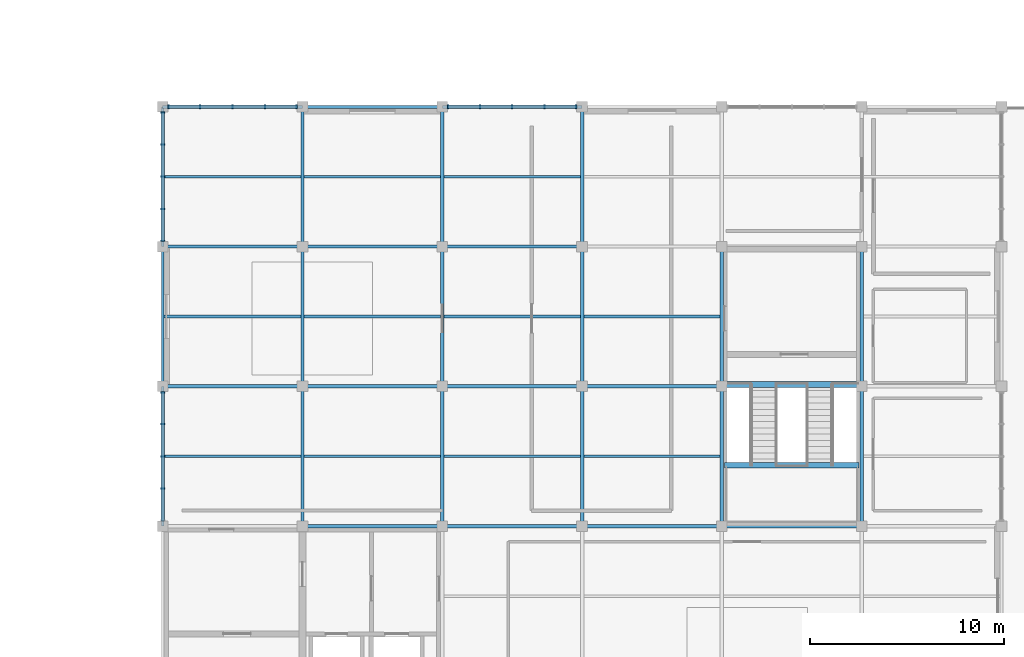
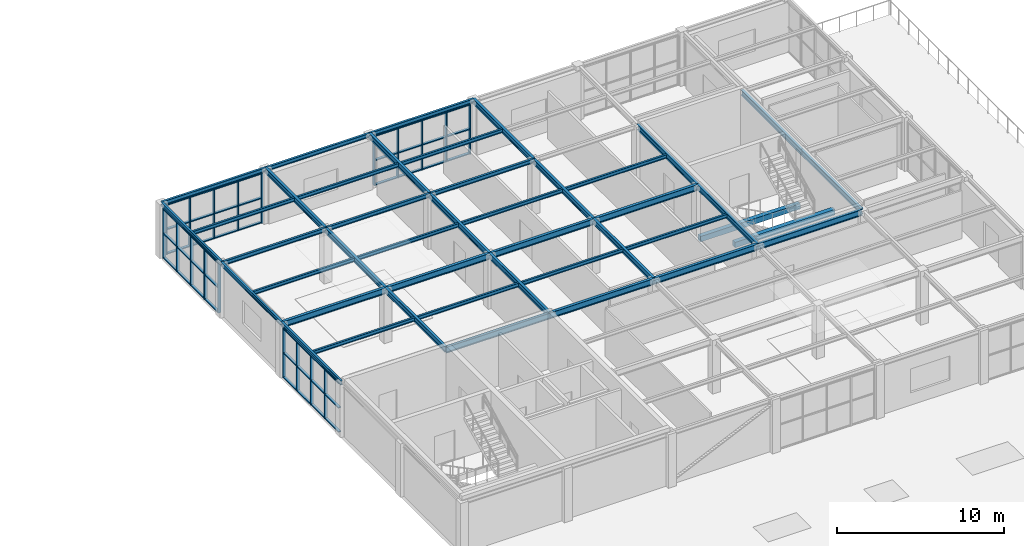
# One storey, part 36 of 64: 43 beams, 31 members, 4 elements without a shape of their own.
"""IFC4 building model written with IfcOpenShell, lengths in metres."""

import ifcopenshell
import ifcopenshell.guid

model = None  # the IFC model being written
_history = None  # IfcOwnerHistory: only IFC2X3 demands one
_inside = {}  # id of a spatial element -> (the spatial element, [elements in it])
_under = {}  # id of a project, library or spatial element -> (it, [spatial elements below it])
_declared = {}  # id of a project -> (the project, [libraries it declares])
_typed = {}  # id of a type object -> (the type object, [elements of that type])
_made_of = {}  # id of a material, layer set ... -> (it, [elements and type objects made of it])


def new_model(schema):
    """Start an empty IFC model of exactly this schema.

    Asked for "IFC4X3", IfcOpenShell would pick the latest addendum, in which some entities
    have other attributes; the version numbers below select the first issue.
    IFC2X3 requires an IfcOwnerHistory on every rooted entity: one is made here for all.
    """
    global model, _history
    if schema == "IFC4X3":
        model = ifcopenshell.file(schema_version=(4, 3, 0, 0))
    else:
        model = ifcopenshell.file(schema=schema)
    _inside.clear()
    _under.clear()
    _declared.clear()
    _typed.clear()
    _made_of.clear()
    _history = None
    if model.schema == "IFC2X3":
        org = make("IfcOrganization", Name="unknown")
        user = make(
            "IfcPersonAndOrganization",
            ThePerson=make("IfcPerson", FamilyName="unknown"),
            TheOrganization=org,
        )
        app = make(
            "IfcApplication",
            ApplicationDeveloper=org,
            Version="unknown",
            ApplicationFullName="unknown",
            ApplicationIdentifier="unknown",
        )
        _history = make(
            "IfcOwnerHistory",
            OwningUser=user,
            OwningApplication=app,
            ChangeAction="ADDED",
            CreationDate=0,
        )
    return model


def make(cls, **values):
    """One entity of the class cls with the attributes given. An attribute that is None is left unset."""
    return model.create_entity(
        cls, **{name: value for name, value in values.items() if value is not None}
    )


def rooted(cls, **values):
    """An entity with a GlobalId (a new one), such as an element, a storey or a relation."""
    return make(cls, GlobalId=ifcopenshell.guid.new(), OwnerHistory=_history, **values)


def si_unit(unit_type, name, prefix=None):
    """IfcSIUnit, for example si_unit("LENGTHUNIT", "METRE", prefix="MILLI")."""
    return make("IfcSIUnit", UnitType=unit_type, Prefix=prefix, Name=name)


def assignment(units):
    """IfcUnitAssignment: the units of a project."""
    return None if units is None else make("IfcUnitAssignment", Units=units)


def point(xyz):
    """IfcCartesianPoint."""
    return None if xyz is None else make("IfcCartesianPoint", Coordinates=xyz)


def direction(xyz):
    """IfcDirection."""
    return None if xyz is None else make("IfcDirection", DirectionRatios=xyz)


def frame(location, z_axis=None, x_axis=None):
    """IfcAxis2Placement3D, a coordinate frame: its origin and axes. An axis left out is left unset."""
    return make(
        "IfcAxis2Placement3D",
        Location=point(location),
        Axis=direction(z_axis),
        RefDirection=direction(x_axis),
    )


def frame_2d(location, x_axis=None):
    """IfcAxis2Placement2D, a coordinate frame in the plane: its origin and x axis."""
    return make(
        "IfcAxis2Placement2D", Location=point(location), RefDirection=direction(x_axis)
    )


def origin():
    """The frame at (0, 0, 0) with its axes left unset."""
    return frame((0.0, 0.0, 0.0))


def origin_2d():
    """The frame at (0, 0) in the plane with its x axis left unset."""
    return frame_2d((0.0, 0.0))


def place(relative_to, where):
    """IfcLocalPlacement: puts the frame where relative to a parent placement (None: the world)."""
    return make(
        "IfcLocalPlacement", PlacementRelTo=relative_to, RelativePlacement=where
    )


def context(
    kind, dimensions, precision=None, world=None, true_north=None, identifier=None
):
    """IfcGeometricRepresentationContext, for example the 3D "Model" context."""
    return make(
        "IfcGeometricRepresentationContext",
        ContextIdentifier=identifier,
        ContextType=kind,
        CoordinateSpaceDimension=dimensions,
        Precision=precision,
        WorldCoordinateSystem=world,
        TrueNorth=true_north,
    )


def subcontext(parent, identifier, kind, view, scale=None):
    """IfcGeometricRepresentationSubContext, for example "Body" below "Model"."""
    return make(
        "IfcGeometricRepresentationSubContext",
        ContextIdentifier=identifier,
        ContextType=kind,
        ParentContext=parent,
        TargetScale=scale,
        TargetView=view,
    )


def project(units=None, contexts=None):
    """IfcProject with its units and contexts."""
    return rooted(
        "IfcProject",
        Name="project",
        RepresentationContexts=contexts,
        UnitsInContext=assignment(units),
    )


def spatial(cls, under=None, at=None, **own):
    """A site, building, storey or space (cls), placed at a placement, below another one or the project."""
    s = rooted(cls, ObjectPlacement=at, **own)
    if under is not None:
        _under.setdefault(under.id(), (under, []))[1].append(s)
    return s


def profile(cls, at=None, kind="AREA", **sizes):
    """A parametric profile (cls). Its sizes go by their IFC names, for example OverallWidth=200.0."""
    return make(cls, ProfileType=kind, Position=at, **sizes)


def rectangle(**sizes):
    """IfcRectangleProfileDef."""
    return profile("IfcRectangleProfileDef", **sizes)


def i_section(**sizes):
    """IfcIShapeProfileDef."""
    return profile("IfcIShapeProfileDef", **sizes)


def extrude(swept, where, along, depth):
    """IfcExtrudedAreaSolid: the profile swept, set in the frame where, extruded along a direction by depth."""
    return make(
        "IfcExtrudedAreaSolid",
        SweptArea=swept,
        Position=where,
        ExtrudedDirection=direction(along),
        Depth=depth,
    )


def shape(context_of_items, identifier, shape_type, items):
    """IfcShapeRepresentation: the items that make up one representation, for example the "Body"."""
    return make(
        "IfcShapeRepresentation",
        ContextOfItems=context_of_items,
        RepresentationIdentifier=identifier,
        RepresentationType=shape_type,
        Items=items,
    )


def material(Name=None, Category=None):
    """IfcMaterial."""
    return make("IfcMaterial", Name=Name, Category=Category)


def material_profile(
    of_material, cross_section, Name=None, Category=None, Priority=None
):
    """IfcMaterialProfile: a cross section and its material."""
    return make(
        "IfcMaterialProfile",
        Name=Name,
        Material=of_material,
        Profile=cross_section,
        Priority=Priority,
        Category=Category,
    )


def profile_set(profiles, Name=None, composite=None):
    """IfcMaterialProfileSet."""
    return make(
        "IfcMaterialProfileSet",
        Name=Name,
        MaterialProfiles=profiles,
        CompositeProfile=composite,
    )


def made_of(thing, what):
    """Note that an element or type object is made of a material, layer set ...; save() writes the relation."""
    if what is not None:
        _made_of.setdefault(what.id(), (what, []))[1].append(thing)
    return thing


def type_object(cls, material=None, **own):
    """A type object (cls), such as IfcWallType, which elements share."""
    return made_of(rooted(cls, **own), material)


def element(
    cls,
    number,
    at=None,
    inside=None,
    cuts=None,
    type_object=None,
    material=None,
    context=None,
    identifier="Body",
    shape_type=None,
    held_by="IfcProductDefinitionShape",
    body=None,
    shapes=None,
    **own,
):
    """One element of the class cls, such as IfcWall. Its Tag is "e" and its number.

    at: its placement. inside: the storey or other place that contains it. cuts: it is an
    opening in that element (IfcRelVoidsElement). A single representation is given by context,
    identifier, shape_type and body (its items); several are given by shapes. held_by: the class
    of the entity that holds the representations. save() writes the other relations.
    """
    e = rooted(cls, Tag="e%d" % number, ObjectPlacement=at, **own)
    if body is not None:
        shapes = [shape(context, identifier, shape_type, body)]
    if shapes is not None:
        e.Representation = make(held_by, Representations=shapes)
    if inside is not None:
        _inside.setdefault(inside.id(), (inside, []))[1].append(e)
    if cuts is not None:
        rooted(
            "IfcRelVoidsElement", RelatingBuildingElement=cuts, RelatedOpeningElement=e
        )
    if type_object is not None:
        _typed.setdefault(type_object.id(), (type_object, []))[1].append(e)
    return made_of(e, material)


def aggregate(whole, parts):
    """IfcRelAggregates: a whole, such as a stair, and the parts it consists of."""
    return rooted("IfcRelAggregates", RelatingObject=whole, RelatedObjects=parts)


def save(model, path):
    """Write the relations noted so far, then the file.

    IfcRelAggregates (storeys below a building ...), IfcRelContainedInSpatialStructure (elements
    in a storey), IfcRelDefinesByType, IfcRelAssociatesMaterial and IfcRelDeclares: one each for
    every whole, place, type object, material and project.
    """
    for whole, parts in _under.values():
        aggregate(whole, parts)
    for where, things in _inside.values():
        rooted(
            "IfcRelContainedInSpatialStructure",
            RelatedElements=things,
            RelatingStructure=where,
        )
    for kind, things in _typed.values():
        rooted("IfcRelDefinesByType", RelatedObjects=things, RelatingType=kind)
    for what, things in _made_of.values():
        rooted("IfcRelAssociatesMaterial", RelatedObjects=things, RelatingMaterial=what)
    for by, libraries in _declared.values():
        rooted("IfcRelDeclares", RelatingContext=by, RelatedDefinitions=libraries)
    model.write(path)


model = new_model("IFC4")

# Units and contexts
model_context = context("Model", 3, precision=1e-05, world=origin(), true_north=direction((0.0, 1.0)))
body_context = subcontext(model_context, "Body", "Model", "MODEL_VIEW")
ifc_project = project(units=[si_unit("LENGTHUNIT", "METRE"), si_unit("AREAUNIT", "SQUARE_METRE"), si_unit("VOLUMEUNIT", "CUBIC_METRE"), si_unit("PLANEANGLEUNIT", "RADIAN"), si_unit("MASSUNIT", "GRAM", prefix="KILO")], contexts=[model_context])

# Site, building, storey
site_placement = place(None, origin())
site = spatial("IfcSite", under=ifc_project, at=site_placement, CompositionType="ELEMENT")
building_placement = place(site_placement, origin())
building = spatial("IfcBuilding", under=site, at=building_placement, Name="Leyfeld Transit Interchange", CompositionType="ELEMENT")
storey_placement = place(building_placement, frame((0.0, 0.0, 9.60009765625)))
storey = spatial("IfcBuildingStorey", under=building, at=storey_placement, Name="L02", CompositionType="ELEMENT", Elevation=9.60009765625)

# Beams
ifc_material_1 = material(Name="Concrete C35/45", Category="concrete")
ifc_material_profile_1 = material_profile(ifc_material_1, rectangle(XDim=0.300048828125, YDim=0.39990234375, at=origin_2d()), Name="RC 400x300")
ifc_profile_set_1 = profile_set([ifc_material_profile_1], Name="Concrete C35/45")
beam_type_1 = type_object("IfcBeamType", Name="BM-RC-400x300", PredefinedType="LINTEL", material=ifc_profile_set_1)
for number, where, z_axis, x_axis, name in (
    (1, (165.735107421875, 79.300048828125, -0.2001953125), (1.0, 0.0, 0.0), (0.0, 1.0, 0.0), "Core K5 Floor Landing Corbel L02"),
    (2, (165.735107421875, 75.139892578125, 1.89990234375), (1.0, 0.0, 0.0), (0.0, 1.0, 0.0), "Stair ST-05 L02 Half-Landing Corbel"),
):
    element("IfcBeam", number, at=place(storey_placement, frame(where, z_axis=z_axis, x_axis=x_axis)), inside=storey, type_object=beam_type_1, Name=name, PredefinedType="LINTEL", context=body_context, shape_type="SweptSolid", body=[
        extrude(rectangle(XDim=0.300048828125, YDim=0.39990234375, at=origin_2d()), origin(), (0.0, 0.0, 1.0), 6.929931640625),
    ])
ifc_material_2 = material(Name="Steel S355J2", Category="steel")
ifc_material_profile_2 = material_profile(ifc_material_2, i_section(OverallWidth=0.135009765625, OverallDepth=0.27001953125, WebThickness=0.006591796875, FlangeThickness=0.01025390625, FilletRadius=0.014892578125, at=origin_2d()), Name="IPE 270")
ifc_profile_set_2 = profile_set([ifc_material_profile_2], Name="Steel S355J2")
beam_type_2 = type_object("IfcBeamType", Name="BM-STL-IPE270", PredefinedType="BEAM", material=ifc_profile_set_2)
beam_1_placement = place(storey_placement, frame((136.8720703125, 75.60009765625, 3.784912109375), z_axis=(1.0, 0.0, 0.0), x_axis=(0.0, 1.0, 0.0)))
element("IfcBeam", 3, at=beam_1_placement, inside=storey, type_object=beam_type_2, Name="Beam BM-L02-1369_0756-1439_0756", PredefinedType="BEAM", context=body_context, shape_type="SweptSolid", body=[
    extrude(i_section(OverallWidth=0.135009765625, OverallDepth=0.27001953125, WebThickness=0.006591796875, FlangeThickness=0.01025390625, FilletRadius=0.014892578125, at=origin_2d()), origin(), (0.0, 0.0, 1.0), 7.041015625),
])
beam_2_placement = place(storey_placement, frame((144.0869140625, 75.60009765625, 3.784912109375), z_axis=(1.0, 0.0, 0.0), x_axis=(0.0, 1.0, 0.0)))
element("IfcBeam", 4, at=beam_2_placement, inside=storey, type_object=beam_type_2, Name="Beam BM-L02-1441_0756-1511_0756", PredefinedType="BEAM", context=body_context, shape_type="SweptSolid", body=[
    extrude(i_section(OverallWidth=0.135009765625, OverallDepth=0.27001953125, WebThickness=0.006591796875, FlangeThickness=0.01025390625, FilletRadius=0.014892578125, at=origin_2d()), origin(), (0.0, 0.0, 1.0), 7.026123046875),
])
for number, where, z_axis, x_axis, name in (
    (5, (151.287109375, 75.60009765625, 3.784912109375), (1.0, 0.0, 0.0), (0.0, 1.0, 0.0), "Beam BM-L02-1513_0756-1583_0756"),
    (6, (158.487060546875, 75.60009765625, 3.784912109375), (1.0, 0.0, 0.0), (0.0, 1.0, 0.0), "Beam BM-L02-1585_0756-1655_0756"),
):
    element("IfcBeam", number, at=place(storey_placement, frame(where, z_axis=z_axis, x_axis=x_axis)), inside=storey, type_object=beam_type_2, Name=name, PredefinedType="BEAM", context=body_context, shape_type="SweptSolid", body=[
        extrude(i_section(OverallWidth=0.135009765625, OverallDepth=0.27001953125, WebThickness=0.006591796875, FlangeThickness=0.01025390625, FilletRadius=0.014892578125, at=origin_2d()), origin(), (0.0, 0.0, 1.0), 7.02587890625),
    ])
beam_3_placement = place(storey_placement, frame((136.8720703125, 82.800048828125, 3.784912109375), z_axis=(1.0, 0.0, 0.0), x_axis=(0.0, 1.0, 0.0)))
element("IfcBeam", 7, at=beam_3_placement, inside=storey, type_object=beam_type_2, Name="Beam BM-L02-1369_0828-1439_0828", PredefinedType="BEAM", context=body_context, shape_type="SweptSolid", body=[
    extrude(i_section(OverallWidth=0.135009765625, OverallDepth=0.27001953125, WebThickness=0.006591796875, FlangeThickness=0.01025390625, FilletRadius=0.014892578125, at=origin_2d()), origin(), (0.0, 0.0, 1.0), 7.041015625),
])
beam_4_placement = place(storey_placement, frame((144.0869140625, 82.800048828125, 3.784912109375), z_axis=(1.0, 0.0, 0.0), x_axis=(0.0, 1.0, 0.0)))
element("IfcBeam", 8, at=beam_4_placement, inside=storey, type_object=beam_type_2, Name="Beam BM-L02-1441_0828-1511_0828", PredefinedType="BEAM", context=body_context, shape_type="SweptSolid", body=[
    extrude(i_section(OverallWidth=0.135009765625, OverallDepth=0.27001953125, WebThickness=0.006591796875, FlangeThickness=0.01025390625, FilletRadius=0.014892578125, at=origin_2d()), origin(), (0.0, 0.0, 1.0), 7.026123046875),
])
for number, where, z_axis, x_axis, name in (
    (9, (151.287109375, 82.800048828125, 3.784912109375), (1.0, 0.0, 0.0), (0.0, 1.0, 0.0), "Beam BM-L02-1513_0828-1583_0828"),
    (10, (158.487060546875, 82.800048828125, 3.784912109375), (1.0, 0.0, 0.0), (0.0, 1.0, 0.0), "Beam BM-L02-1585_0828-1655_0828"),
):
    element("IfcBeam", number, at=place(storey_placement, frame(where, z_axis=z_axis, x_axis=x_axis)), inside=storey, type_object=beam_type_2, Name=name, PredefinedType="BEAM", context=body_context, shape_type="SweptSolid", body=[
        extrude(i_section(OverallWidth=0.135009765625, OverallDepth=0.27001953125, WebThickness=0.006591796875, FlangeThickness=0.01025390625, FilletRadius=0.014892578125, at=origin_2d()), origin(), (0.0, 0.0, 1.0), 7.02587890625),
    ])
beam_5_placement = place(storey_placement, frame((136.8720703125, 90.0, 3.81494140625), z_axis=(1.0, 0.0, 0.0), x_axis=(0.0, 1.0, 0.0)))
element("IfcBeam", 11, at=beam_5_placement, inside=storey, type_object=beam_type_2, Name="Beam BM-L02-1369_0900-1439_0900", PredefinedType="BEAM", context=body_context, shape_type="SweptSolid", body=[
    extrude(i_section(OverallWidth=0.135009765625, OverallDepth=0.27001953125, WebThickness=0.006591796875, FlangeThickness=0.01025390625, FilletRadius=0.014892578125, at=origin_2d()), origin(), (0.0, 0.0, 1.0), 7.041015625),
])
beam_6_placement = place(storey_placement, frame((144.0869140625, 90.0, 3.81494140625), z_axis=(1.0, 0.0, 0.0), x_axis=(0.0, 1.0, 0.0)))
element("IfcBeam", 12, at=beam_6_placement, inside=storey, type_object=beam_type_2, Name="Beam BM-L02-1441_0900-1511_0900", PredefinedType="BEAM", context=body_context, shape_type="SweptSolid", body=[
    extrude(i_section(OverallWidth=0.135009765625, OverallDepth=0.27001953125, WebThickness=0.006591796875, FlangeThickness=0.01025390625, FilletRadius=0.014892578125, at=origin_2d()), origin(), (0.0, 0.0, 1.0), 7.026123046875),
])
beam_7_placement = place(storey_placement, frame((151.287109375, 90.0, 3.81494140625), z_axis=(1.0, 0.0, 0.0), x_axis=(0.0, 1.0, 0.0)))
element("IfcBeam", 13, at=beam_7_placement, inside=storey, type_object=beam_type_2, Name="Beam BM-L02-1513_0900-1583_0900", PredefinedType="BEAM", context=body_context, shape_type="SweptSolid", body=[
    extrude(i_section(OverallWidth=0.135009765625, OverallDepth=0.27001953125, WebThickness=0.006591796875, FlangeThickness=0.01025390625, FilletRadius=0.014892578125, at=origin_2d()), origin(), (0.0, 0.0, 1.0), 7.02587890625),
])
ifc_material_profile_3 = material_profile(ifc_material_2, i_section(OverallWidth=0.14990234375, OverallDepth=0.300048828125, WebThickness=0.007080078125, FlangeThickness=0.0107421875, FilletRadius=0.014892578125, at=origin_2d()), Name="IPE 300")
ifc_profile_set_3 = profile_set([ifc_material_profile_3], Name="Steel S355J2")
beam_type_3 = type_object("IfcBeamType", Name="BM-STL-IPE300", PredefinedType="SPANDREL", material=ifc_profile_set_3)
for number, where, z_axis, x_axis, name in (
    (14, (136.800048828125, 72.0, 3.77001953125), (0.0, 1.0, 0.0), (-1.0, 0.0, 0.0), "Beam BM-L02-1368_0720-1368_0792"),
    (15, (136.800048828125, 79.199951171875, 3.77001953125), (0.0, 1.0, 0.0), (-1.0, 0.0, 0.0), "Beam BM-L02-1368_0792-1368_0864"),
    (16, (136.800048828125, 86.39990234375, 3.77001953125), (1.0, 0.0, 0.0), (0.0, 1.0, 0.0), "Beam BM-L02-1368_0864-1440_0864"),
    (17, (144.0, 86.39990234375, 3.77001953125), (1.0, 0.0, 0.0), (0.0, 1.0, 0.0), "Beam BM-L02-1440_0864-1512_0864"),
    (18, (151.199951171875, 86.39990234375, 3.77001953125), (1.0, 0.0, 0.0), (0.0, 1.0, 0.0), "Beam BM-L02-1512_0864-1584_0864"),
):
    element("IfcBeam", number, at=place(storey_placement, frame(where, z_axis=z_axis, x_axis=x_axis)), inside=storey, type_object=beam_type_3, Name=name, PredefinedType="SPANDREL", context=body_context, shape_type="SweptSolid", body=[
        extrude(i_section(OverallWidth=0.14990234375, OverallDepth=0.300048828125, WebThickness=0.007080078125, FlangeThickness=0.0107421875, FilletRadius=0.014892578125, at=origin_2d()), origin(), (0.0, 0.0, 1.0), 7.199951171875),
    ])
beam_8_placement = place(storey_placement, frame((136.800048828125, 86.39990234375, 3.7998046875), z_axis=(0.0, 1.0, 0.0), x_axis=(-1.0, 0.0, 0.0)))
element("IfcBeam", 19, at=beam_8_placement, inside=storey, type_object=beam_type_3, Name="Beam BM-L02-1368_0864-1368_0936", PredefinedType="SPANDREL", context=body_context, shape_type="SweptSolid", body=[
    extrude(i_section(OverallWidth=0.14990234375, OverallDepth=0.300048828125, WebThickness=0.007080078125, FlangeThickness=0.0107421875, FilletRadius=0.014892578125, at=origin_2d()), origin(), (0.0, 0.0, 1.0), 7.2001953125),
])
for number, where, z_axis, x_axis, name in (
    (20, (136.800048828125, 93.60009765625, 3.7998046875), (1.0, 0.0, 0.0), (0.0, 1.0, 0.0), "Beam BM-L02-1368_0936-1440_0936"),
    (21, (144.0, 93.60009765625, 3.7998046875), (1.0, 0.0, 0.0), (0.0, 1.0, 0.0), "Beam BM-L02-1440_0936-1512_0936"),
    (22, (151.199951171875, 93.60009765625, 3.7998046875), (1.0, 0.0, 0.0), (0.0, 1.0, 0.0), "Beam BM-L02-1512_0936-1584_0936"),
):
    element("IfcBeam", number, at=place(storey_placement, frame(where, z_axis=z_axis, x_axis=x_axis)), inside=storey, type_object=beam_type_3, Name=name, PredefinedType="SPANDREL", context=body_context, shape_type="SweptSolid", body=[
        extrude(i_section(OverallWidth=0.14990234375, OverallDepth=0.300048828125, WebThickness=0.007080078125, FlangeThickness=0.0107421875, FilletRadius=0.014892578125, at=origin_2d()), origin(), (0.0, 0.0, 1.0), 7.199951171875),
    ])
ifc_material_profile_4 = material_profile(ifc_material_2, i_section(OverallWidth=0.179931640625, OverallDepth=0.39990234375, WebThickness=0.008544921875, FlangeThickness=0.013427734375, FilletRadius=0.02099609375, at=origin_2d()), Name="IPE 400")
ifc_profile_set_4 = profile_set([ifc_material_profile_4], Name="Steel S355J2")
beam_type_4 = type_object("IfcBeamType", Name="BM-STL-IPE400", PredefinedType="BEAM", material=ifc_profile_set_4)
for number, where, z_axis, x_axis, name in (
    (23, (144.0, 72.0, 3.719970703125), (0.0, 1.0, 0.0), (-1.0, 0.0, 0.0), "Beam BM-L02-1440_0720-1440_0792"),
    (24, (144.0, 79.199951171875, 3.719970703125), (0.0, 1.0, 0.0), (-1.0, 0.0, 0.0), "Beam BM-L02-1440_0792-1440_0864"),
    (25, (151.199951171875, 72.0, 3.719970703125), (0.0, 1.0, 0.0), (-1.0, 0.0, 0.0), "Beam BM-L02-1512_0720-1512_0792"),
    (26, (151.199951171875, 79.199951171875, 3.719970703125), (0.0, 1.0, 0.0), (-1.0, 0.0, 0.0), "Beam BM-L02-1512_0792-1512_0864"),
    (27, (158.39990234375, 72.0, 3.719970703125), (0.0, 1.0, 0.0), (-1.0, 0.0, 0.0), "Beam BM-L02-1584_0720-1584_0792"),
    (28, (158.39990234375, 79.199951171875, 3.719970703125), (0.0, 1.0, 0.0), (-1.0, 0.0, 0.0), "Beam BM-L02-1584_0792-1584_0864"),
    (29, (165.60009765625, 72.0, 3.719970703125), (0.0, 1.0, 0.0), (-1.0, 0.0, 0.0), "Beam BM-L02-1656_0720-1656_0792"),
    (30, (165.60009765625, 79.199951171875, 3.719970703125), (0.0, 1.0, 0.0), (-1.0, 0.0, 0.0), "Beam BM-L02-1656_0792-1656_0864"),
    (31, (172.800048828125, 72.0, 3.719970703125), (0.0, 1.0, 0.0), (-1.0, 0.0, 0.0), "Beam BM-L02-1728_0720-1728_0792"),
    (32, (172.800048828125, 79.199951171875, 3.719970703125), (0.0, 1.0, 0.0), (-1.0, 0.0, 0.0), "Beam BM-L02-1728_0792-1728_0864"),
):
    element("IfcBeam", number, at=place(storey_placement, frame(where, z_axis=z_axis, x_axis=x_axis)), inside=storey, type_object=beam_type_4, Name=name, PredefinedType="BEAM", context=body_context, shape_type="SweptSolid", body=[
        extrude(i_section(OverallWidth=0.179931640625, OverallDepth=0.39990234375, WebThickness=0.008544921875, FlangeThickness=0.013427734375, FilletRadius=0.02099609375, at=origin_2d()), origin(), (0.0, 0.0, 1.0), 7.199951171875),
    ])
for number, where, z_axis, x_axis, name in (
    (33, (144.0, 86.39990234375, 3.75), (0.0, 1.0, 0.0), (-1.0, 0.0, 0.0), "Beam BM-L02-1440_0864-1440_0936"),
    (34, (151.199951171875, 86.39990234375, 3.75), (0.0, 1.0, 0.0), (-1.0, 0.0, 0.0), "Beam BM-L02-1512_0864-1512_0936"),
    (35, (158.39990234375, 86.39990234375, 3.75), (0.0, 1.0, 0.0), (-1.0, 0.0, 0.0), "Beam BM-L02-1584_0864-1584_0936"),
):
    element("IfcBeam", number, at=place(storey_placement, frame(where, z_axis=z_axis, x_axis=x_axis)), inside=storey, type_object=beam_type_4, Name=name, PredefinedType="BEAM", context=body_context, shape_type="SweptSolid", body=[
        extrude(i_section(OverallWidth=0.179931640625, OverallDepth=0.39990234375, WebThickness=0.008544921875, FlangeThickness=0.013427734375, FilletRadius=0.02099609375, at=origin_2d()), origin(), (0.0, 0.0, 1.0), 7.2001953125),
    ])
ifc_material_profile_5 = material_profile(ifc_material_2, i_section(OverallWidth=0.18994140625, OverallDepth=0.449951171875, WebThickness=0.009521484375, FlangeThickness=0.0146484375, FilletRadius=0.02099609375, at=origin_2d()), Name="IPE 450")
ifc_profile_set_5 = profile_set([ifc_material_profile_5], Name="Steel S355J2")
beam_type_5 = type_object("IfcBeamType", Name="BM-STL-IPE450", PredefinedType="BEAM", material=ifc_profile_set_5)
for number, where, z_axis, x_axis, name in (
    (36, (144.0, 72.0, 3.69482421875), (1.0, 0.0, 0.0), (0.0, 1.0, 0.0), "Beam BM-L02-1440_0720-1512_0720"),
    (37, (151.199951171875, 72.0, 3.69482421875), (1.0, 0.0, 0.0), (0.0, 1.0, 0.0), "Beam BM-L02-1512_0720-1584_0720"),
):
    element("IfcBeam", number, at=place(storey_placement, frame(where, z_axis=z_axis, x_axis=x_axis)), inside=storey, type_object=beam_type_5, Name=name, PredefinedType="BEAM", context=body_context, shape_type="SweptSolid", body=[
        extrude(i_section(OverallWidth=0.18994140625, OverallDepth=0.449951171875, WebThickness=0.009521484375, FlangeThickness=0.0146484375, FilletRadius=0.02099609375, at=origin_2d()), origin(), (0.0, 0.0, 1.0), 7.199951171875),
    ])
beam_9_placement = place(storey_placement, frame((158.39990234375, 72.0, 3.69482421875), z_axis=(1.0, 0.0, 0.0), x_axis=(0.0, 1.0, 0.0)))
element("IfcBeam", 38, at=beam_9_placement, inside=storey, type_object=beam_type_5, Name="Beam BM-L02-1584_0720-1656_0720", PredefinedType="BEAM", context=body_context, shape_type="SweptSolid", body=[
    extrude(i_section(OverallWidth=0.18994140625, OverallDepth=0.449951171875, WebThickness=0.009521484375, FlangeThickness=0.0146484375, FilletRadius=0.02099609375, at=origin_2d()), origin(), (0.0, 0.0, 1.0), 7.2001953125),
])
for number, where, z_axis, x_axis, name in (
    (39, (165.60009765625, 72.0, 3.69482421875), (1.0, 0.0, 0.0), (0.0, 1.0, 0.0), "Beam BM-L02-1656_0720-1728_0720"),
    (40, (136.800048828125, 79.199951171875, 3.69482421875), (1.0, 0.0, 0.0), (0.0, 1.0, 0.0), "Beam BM-L02-1368_0792-1440_0792"),
    (41, (144.0, 79.199951171875, 3.69482421875), (1.0, 0.0, 0.0), (0.0, 1.0, 0.0), "Beam BM-L02-1440_0792-1512_0792"),
    (42, (151.199951171875, 79.199951171875, 3.69482421875), (1.0, 0.0, 0.0), (0.0, 1.0, 0.0), "Beam BM-L02-1512_0792-1584_0792"),
):
    element("IfcBeam", number, at=place(storey_placement, frame(where, z_axis=z_axis, x_axis=x_axis)), inside=storey, type_object=beam_type_5, Name=name, PredefinedType="BEAM", context=body_context, shape_type="SweptSolid", body=[
        extrude(i_section(OverallWidth=0.18994140625, OverallDepth=0.449951171875, WebThickness=0.009521484375, FlangeThickness=0.0146484375, FilletRadius=0.02099609375, at=origin_2d()), origin(), (0.0, 0.0, 1.0), 7.199951171875),
    ])
beam_10_placement = place(storey_placement, frame((158.39990234375, 79.199951171875, 3.69482421875), z_axis=(1.0, 0.0, 0.0), x_axis=(0.0, 1.0, 0.0)))
element("IfcBeam", 43, at=beam_10_placement, inside=storey, type_object=beam_type_5, Name="Beam BM-L02-1584_0792-1656_0792", PredefinedType="BEAM", context=body_context, shape_type="SweptSolid", body=[
    extrude(i_section(OverallWidth=0.18994140625, OverallDepth=0.449951171875, WebThickness=0.009521484375, FlangeThickness=0.0146484375, FilletRadius=0.02099609375, at=origin_2d()), origin(), (0.0, 0.0, 1.0), 7.2001953125),
])

# Curtain wall, members
ifc_material_3 = material(Name="Anodised aluminium EN AW-6060 T66", Category="aluminium")
curtain_wall_type = type_object("IfcCurtainWallType", Name="CW-SYS-BUS-7200", PredefinedType="NOTDEFINED", material=ifc_material_3)
curtain_wall_1_placement = place(storey_placement, origin())
curtain_wall_1 = element("IfcCurtainWall", 44, at=curtain_wall_1_placement, inside=storey, type_object=curtain_wall_type, Name="Curtain Wall CW-L02-110", PredefinedType="NOTDEFINED")
ifc_material_profile_6 = material_profile(ifc_material_3, rectangle(XDim=0.074951171875, YDim=0.219970703125, at=origin_2d()), Name="CW-M 75x220")
ifc_profile_set_6 = profile_set([ifc_material_profile_6], Name="Anodised aluminium EN AW-6060 T66")
member_type_1 = type_object("IfcMemberType", Name="CW-MUL-180x70", PredefinedType="MULLION", material=ifc_profile_set_6)
member_1_placement = place(storey_placement, frame((136.800048828125, 73.9326171875, 0.0), z_axis=(0.0, 0.0, 1.0), x_axis=(0.0, 1.0, 0.0)))
member_1 = element("IfcMember", 45, at=member_1_placement, type_object=member_type_1, Name="Curtain Mullion CW-L02-110-M02", PredefinedType="MULLION", context=body_context, shape_type="SweptSolid", body=[
    extrude(rectangle(XDim=0.074951171875, YDim=0.219970703125, at=origin_2d()), origin(), (0.0, 0.0, 1.0), 3.619873046875),
])
member_2_placement = place(storey_placement, frame((136.800048828125, 75.60009765625, 0.0), z_axis=(0.0, 0.0, 1.0), x_axis=(0.0, 1.0, 0.0)))
member_2 = element("IfcMember", 46, at=member_2_placement, type_object=member_type_1, Name="Curtain Mullion CW-L02-110-M03", PredefinedType="MULLION", context=body_context, shape_type="SweptSolid", body=[
    extrude(rectangle(XDim=0.074951171875, YDim=0.219970703125, at=origin_2d()), origin(), (0.0, 0.0, 1.0), 3.619873046875),
])
member_3_placement = place(storey_placement, frame((136.800048828125, 77.267578125, 0.0), z_axis=(0.0, 0.0, 1.0), x_axis=(0.0, 1.0, 0.0)))
member_3 = element("IfcMember", 47, at=member_3_placement, type_object=member_type_1, Name="Curtain Mullion CW-L02-110-M04", PredefinedType="MULLION", context=body_context, shape_type="SweptSolid", body=[
    extrude(rectangle(XDim=0.074951171875, YDim=0.219970703125, at=origin_2d()), origin(), (0.0, 0.0, 1.0), 3.619873046875),
])
member_4_placement = place(storey_placement, frame((136.800048828125, 78.8974609375, 0.0), z_axis=(0.0, 0.0, 1.0), x_axis=(0.0, 1.0, 0.0)))
member_4 = element("IfcMember", 48, at=member_4_placement, type_object=member_type_1, Name="Curtain Mullion CW-L02-110-M05", PredefinedType="MULLION", context=body_context, shape_type="SweptSolid", body=[
    extrude(rectangle(XDim=0.074951171875, YDim=0.219970703125, at=origin_2d()), origin(), (0.0, 0.0, 1.0), 3.619873046875),
])

curtain_wall_2_placement = place(storey_placement, origin())
curtain_wall_2 = element("IfcCurtainWall", 49, at=curtain_wall_2_placement, inside=storey, type_object=curtain_wall_type, Name="Curtain Wall CW-L02-111", PredefinedType="NOTDEFINED")
member_5_placement = place(storey_placement, frame((136.800048828125, 86.702392578125, 0.0), z_axis=(0.0, 0.0, 1.0), x_axis=(0.0, 1.0, 0.0)))
member_5 = element("IfcMember", 50, at=member_5_placement, type_object=member_type_1, Name="Curtain Mullion CW-L02-111-M01", PredefinedType="MULLION", context=body_context, shape_type="SweptSolid", body=[
    extrude(rectangle(XDim=0.074951171875, YDim=0.219970703125, at=origin_2d()), origin(), (0.0, 0.0, 1.0), 3.64990234375),
])
member_6_placement = place(storey_placement, frame((136.800048828125, 88.33251953125, 0.0), z_axis=(0.0, 0.0, 1.0), x_axis=(0.0, 1.0, 0.0)))
member_6 = element("IfcMember", 51, at=member_6_placement, type_object=member_type_1, Name="Curtain Mullion CW-L02-111-M02", PredefinedType="MULLION", context=body_context, shape_type="SweptSolid", body=[
    extrude(rectangle(XDim=0.074951171875, YDim=0.219970703125, at=origin_2d()), origin(), (0.0, 0.0, 1.0), 3.64990234375),
])
member_7_placement = place(storey_placement, frame((136.800048828125, 90.0, 0.0), z_axis=(0.0, 0.0, 1.0), x_axis=(0.0, 1.0, 0.0)))
member_7 = element("IfcMember", 52, at=member_7_placement, type_object=member_type_1, Name="Curtain Mullion CW-L02-111-M03", PredefinedType="MULLION", context=body_context, shape_type="SweptSolid", body=[
    extrude(rectangle(XDim=0.074951171875, YDim=0.219970703125, at=origin_2d()), origin(), (0.0, 0.0, 1.0), 3.64990234375),
])
member_8_placement = place(storey_placement, frame((136.800048828125, 91.66748046875, 0.0), z_axis=(0.0, 0.0, 1.0), x_axis=(0.0, 1.0, 0.0)))
member_8 = element("IfcMember", 53, at=member_8_placement, type_object=member_type_1, Name="Curtain Mullion CW-L02-111-M04", PredefinedType="MULLION", context=body_context, shape_type="SweptSolid", body=[
    extrude(rectangle(XDim=0.074951171875, YDim=0.219970703125, at=origin_2d()), origin(), (0.0, 0.0, 1.0), 3.64990234375),
])
member_9_placement = place(storey_placement, frame((136.800048828125, 93.297607421875, 0.0), z_axis=(0.0, 0.0, 1.0), x_axis=(0.0, 1.0, 0.0)))
member_9 = element("IfcMember", 54, at=member_9_placement, type_object=member_type_1, Name="Curtain Mullion CW-L02-111-M05", PredefinedType="MULLION", context=body_context, shape_type="SweptSolid", body=[
    extrude(rectangle(XDim=0.074951171875, YDim=0.219970703125, at=origin_2d()), origin(), (0.0, 0.0, 1.0), 3.64990234375),
])

curtain_wall_3_placement = place(storey_placement, origin())
curtain_wall_3 = element("IfcCurtainWall", 55, at=curtain_wall_3_placement, inside=storey, type_object=curtain_wall_type, Name="Curtain Wall CW-L02-112", PredefinedType="NOTDEFINED")
member_10_placement = place(storey_placement, frame((137.1025390625, 93.60009765625, 0.0), z_axis=(0.0, 0.0, 1.0), x_axis=(1.0, 0.0, 0.0)))
member_10 = element("IfcMember", 56, at=member_10_placement, type_object=member_type_1, Name="Curtain Mullion CW-L02-112-M01", PredefinedType="MULLION", context=body_context, shape_type="SweptSolid", body=[
    extrude(rectangle(XDim=0.074951171875, YDim=0.219970703125, at=origin_2d()), origin(), (0.0, 0.0, 1.0), 3.64990234375),
])
member_11_placement = place(storey_placement, frame((138.732421875, 93.60009765625, 0.0), z_axis=(0.0, 0.0, 1.0), x_axis=(1.0, 0.0, 0.0)))
member_11 = element("IfcMember", 57, at=member_11_placement, type_object=member_type_1, Name="Curtain Mullion CW-L02-112-M02", PredefinedType="MULLION", context=body_context, shape_type="SweptSolid", body=[
    extrude(rectangle(XDim=0.074951171875, YDim=0.219970703125, at=origin_2d()), origin(), (0.0, 0.0, 1.0), 3.64990234375),
])
member_12_placement = place(storey_placement, frame((140.39990234375, 93.60009765625, 0.0), z_axis=(0.0, 0.0, 1.0), x_axis=(1.0, 0.0, 0.0)))
member_12 = element("IfcMember", 58, at=member_12_placement, type_object=member_type_1, Name="Curtain Mullion CW-L02-112-M03", PredefinedType="MULLION", context=body_context, shape_type="SweptSolid", body=[
    extrude(rectangle(XDim=0.074951171875, YDim=0.219970703125, at=origin_2d()), origin(), (0.0, 0.0, 1.0), 3.64990234375),
])
member_13_placement = place(storey_placement, frame((142.0673828125, 93.60009765625, 0.0), z_axis=(0.0, 0.0, 1.0), x_axis=(1.0, 0.0, 0.0)))
member_13 = element("IfcMember", 59, at=member_13_placement, type_object=member_type_1, Name="Curtain Mullion CW-L02-112-M04", PredefinedType="MULLION", context=body_context, shape_type="SweptSolid", body=[
    extrude(rectangle(XDim=0.074951171875, YDim=0.219970703125, at=origin_2d()), origin(), (0.0, 0.0, 1.0), 3.64990234375),
])
member_14_placement = place(storey_placement, frame((143.697509765625, 93.60009765625, 0.0), z_axis=(0.0, 0.0, 1.0), x_axis=(1.0, 0.0, 0.0)))
member_14 = element("IfcMember", 60, at=member_14_placement, type_object=member_type_1, Name="Curtain Mullion CW-L02-112-M05", PredefinedType="MULLION", context=body_context, shape_type="SweptSolid", body=[
    extrude(rectangle(XDim=0.074951171875, YDim=0.219970703125, at=origin_2d()), origin(), (0.0, 0.0, 1.0), 3.64990234375),
])

curtain_wall_4_placement = place(storey_placement, origin())
curtain_wall_4 = element("IfcCurtainWall", 61, at=curtain_wall_4_placement, inside=storey, type_object=curtain_wall_type, Name="Curtain Wall CW-L02-113", PredefinedType="NOTDEFINED")
member_15_placement = place(storey_placement, frame((151.50244140625, 93.60009765625, 0.0), z_axis=(0.0, 0.0, 1.0), x_axis=(1.0, 0.0, 0.0)))
member_15 = element("IfcMember", 62, at=member_15_placement, type_object=member_type_1, Name="Curtain Mullion CW-L02-113-M01", PredefinedType="MULLION", context=body_context, shape_type="SweptSolid", body=[
    extrude(rectangle(XDim=0.074951171875, YDim=0.219970703125, at=origin_2d()), origin(), (0.0, 0.0, 1.0), 3.64990234375),
])
member_16_placement = place(storey_placement, frame((153.132568359375, 93.60009765625, 0.0), z_axis=(0.0, 0.0, 1.0), x_axis=(1.0, 0.0, 0.0)))
member_16 = element("IfcMember", 63, at=member_16_placement, type_object=member_type_1, Name="Curtain Mullion CW-L02-113-M02", PredefinedType="MULLION", context=body_context, shape_type="SweptSolid", body=[
    extrude(rectangle(XDim=0.074951171875, YDim=0.219970703125, at=origin_2d()), origin(), (0.0, 0.0, 1.0), 3.64990234375),
])
member_17_placement = place(storey_placement, frame((154.800048828125, 93.60009765625, 0.0), z_axis=(0.0, 0.0, 1.0), x_axis=(1.0, 0.0, 0.0)))
member_17 = element("IfcMember", 64, at=member_17_placement, type_object=member_type_1, Name="Curtain Mullion CW-L02-113-M03", PredefinedType="MULLION", context=body_context, shape_type="SweptSolid", body=[
    extrude(rectangle(XDim=0.074951171875, YDim=0.219970703125, at=origin_2d()), origin(), (0.0, 0.0, 1.0), 3.64990234375),
])
member_18_placement = place(storey_placement, frame((156.467529296875, 93.60009765625, 0.0), z_axis=(0.0, 0.0, 1.0), x_axis=(1.0, 0.0, 0.0)))
member_18 = element("IfcMember", 65, at=member_18_placement, type_object=member_type_1, Name="Curtain Mullion CW-L02-113-M04", PredefinedType="MULLION", context=body_context, shape_type="SweptSolid", body=[
    extrude(rectangle(XDim=0.074951171875, YDim=0.219970703125, at=origin_2d()), origin(), (0.0, 0.0, 1.0), 3.64990234375),
])
member_19_placement = place(storey_placement, frame((158.097412109375, 93.60009765625, 0.0), z_axis=(0.0, 0.0, 1.0), x_axis=(1.0, 0.0, 0.0)))
member_19 = element("IfcMember", 66, at=member_19_placement, type_object=member_type_1, Name="Curtain Mullion CW-L02-113-M05", PredefinedType="MULLION", context=body_context, shape_type="SweptSolid", body=[
    extrude(rectangle(XDim=0.074951171875, YDim=0.219970703125, at=origin_2d()), origin(), (0.0, 0.0, 1.0), 3.64990234375),
])

# Member
ifc_material_profile_7 = material_profile(ifc_material_3, rectangle(XDim=0.179931640625, YDim=0.074951171875, at=origin_2d()), Name="CW-TRN-160x70")
ifc_profile_set_7 = profile_set([ifc_material_profile_7], Name="Anodised aluminium EN AW-6060 T66")
member_type_2 = type_object("IfcMemberType", Name="CW-TRN-160x70", PredefinedType="USERDEFINED", material=ifc_profile_set_7)
member_20_placement = place(storey_placement, frame((136.800048828125, 72.264892578125, 0.037353515625), z_axis=(0.0, 1.0, 0.0), x_axis=(-1.0, 0.0, 0.0)))
member_20 = element("IfcMember", 67, at=member_20_placement, type_object=member_type_2, Name="Curtain Transom CW-L02-110-T01", ObjectType="TRANSOM", PredefinedType="USERDEFINED", context=body_context, shape_type="SweptSolid", body=[
    extrude(rectangle(XDim=0.179931640625, YDim=0.074951171875, at=origin_2d()), origin(), (0.0, 0.0, 1.0), 6.670166015625),
])

member_21_placement = place(storey_placement, frame((136.800048828125, 72.264892578125, 1.809814453125), z_axis=(0.0, 1.0, 0.0), x_axis=(-1.0, 0.0, 0.0)))
member_21 = element("IfcMember", 68, at=member_21_placement, type_object=member_type_2, Name="Curtain Transom CW-L02-110-T02", ObjectType="TRANSOM", PredefinedType="USERDEFINED", context=body_context, shape_type="SweptSolid", body=[
    extrude(rectangle(XDim=0.179931640625, YDim=0.074951171875, at=origin_2d()), origin(), (0.0, 0.0, 1.0), 6.670166015625),
])

member_22_placement = place(storey_placement, frame((136.800048828125, 72.264892578125, 3.58251953125), z_axis=(0.0, 1.0, 0.0), x_axis=(-1.0, 0.0, 0.0)))
member_22 = element("IfcMember", 69, at=member_22_placement, type_object=member_type_2, Name="Curtain Transom CW-L02-110-T03", ObjectType="TRANSOM", PredefinedType="USERDEFINED", context=body_context, shape_type="SweptSolid", body=[
    extrude(rectangle(XDim=0.179931640625, YDim=0.074951171875, at=origin_2d()), origin(), (0.0, 0.0, 1.0), 6.670166015625),
])

aggregate(curtain_wall_1, [member_1, member_2, member_3, member_4, member_20, member_21, member_22])

member_23_placement = place(storey_placement, frame((136.800048828125, 86.6650390625, 0.037353515625), z_axis=(0.0, 1.0, 0.0), x_axis=(-1.0, 0.0, 0.0)))
member_23 = element("IfcMember", 70, at=member_23_placement, type_object=member_type_2, Name="Curtain Transom CW-L02-111-T01", ObjectType="TRANSOM", PredefinedType="USERDEFINED", context=body_context, shape_type="SweptSolid", body=[
    extrude(rectangle(XDim=0.179931640625, YDim=0.074951171875, at=origin_2d()), origin(), (0.0, 0.0, 1.0), 6.669921875),
])

member_24_placement = place(storey_placement, frame((136.800048828125, 86.6650390625, 1.824951171875), z_axis=(0.0, 1.0, 0.0), x_axis=(-1.0, 0.0, 0.0)))
member_24 = element("IfcMember", 71, at=member_24_placement, type_object=member_type_2, Name="Curtain Transom CW-L02-111-T02", ObjectType="TRANSOM", PredefinedType="USERDEFINED", context=body_context, shape_type="SweptSolid", body=[
    extrude(rectangle(XDim=0.179931640625, YDim=0.074951171875, at=origin_2d()), origin(), (0.0, 0.0, 1.0), 6.669921875),
])

member_25_placement = place(storey_placement, frame((136.800048828125, 86.6650390625, 3.6123046875), z_axis=(0.0, 1.0, 0.0), x_axis=(-1.0, 0.0, 0.0)))
member_25 = element("IfcMember", 72, at=member_25_placement, type_object=member_type_2, Name="Curtain Transom CW-L02-111-T03", ObjectType="TRANSOM", PredefinedType="USERDEFINED", context=body_context, shape_type="SweptSolid", body=[
    extrude(rectangle(XDim=0.179931640625, YDim=0.074951171875, at=origin_2d()), origin(), (0.0, 0.0, 1.0), 6.669921875),
])

aggregate(curtain_wall_2, [member_5, member_6, member_7, member_8, member_9, member_23, member_24, member_25])

member_26_placement = place(storey_placement, frame((137.06494140625, 93.60009765625, 0.037353515625), z_axis=(1.0, 0.0, 0.0), x_axis=(0.0, 1.0, 0.0)))
member_26 = element("IfcMember", 73, at=member_26_placement, type_object=member_type_2, Name="Curtain Transom CW-L02-112-T01", ObjectType="TRANSOM", PredefinedType="USERDEFINED", context=body_context, shape_type="SweptSolid", body=[
    extrude(rectangle(XDim=0.179931640625, YDim=0.074951171875, at=origin_2d()), origin(), (0.0, 0.0, 1.0), 6.670166015625),
])

member_27_placement = place(storey_placement, frame((137.06494140625, 93.60009765625, 1.824951171875), z_axis=(1.0, 0.0, 0.0), x_axis=(0.0, 1.0, 0.0)))
member_27 = element("IfcMember", 74, at=member_27_placement, type_object=member_type_2, Name="Curtain Transom CW-L02-112-T02", ObjectType="TRANSOM", PredefinedType="USERDEFINED", context=body_context, shape_type="SweptSolid", body=[
    extrude(rectangle(XDim=0.179931640625, YDim=0.074951171875, at=origin_2d()), origin(), (0.0, 0.0, 1.0), 6.670166015625),
])

member_28_placement = place(storey_placement, frame((137.06494140625, 93.60009765625, 3.6123046875), z_axis=(1.0, 0.0, 0.0), x_axis=(0.0, 1.0, 0.0)))
member_28 = element("IfcMember", 75, at=member_28_placement, type_object=member_type_2, Name="Curtain Transom CW-L02-112-T03", ObjectType="TRANSOM", PredefinedType="USERDEFINED", context=body_context, shape_type="SweptSolid", body=[
    extrude(rectangle(XDim=0.179931640625, YDim=0.074951171875, at=origin_2d()), origin(), (0.0, 0.0, 1.0), 6.670166015625),
])

aggregate(curtain_wall_3, [member_10, member_11, member_12, member_13, member_14, member_26, member_27, member_28])

member_29_placement = place(storey_placement, frame((151.465087890625, 93.60009765625, 0.037353515625), z_axis=(1.0, 0.0, 0.0), x_axis=(0.0, 1.0, 0.0)))
member_29 = element("IfcMember", 76, at=member_29_placement, type_object=member_type_2, Name="Curtain Transom CW-L02-113-T01", ObjectType="TRANSOM", PredefinedType="USERDEFINED", context=body_context, shape_type="SweptSolid", body=[
    extrude(rectangle(XDim=0.179931640625, YDim=0.074951171875, at=origin_2d()), origin(), (0.0, 0.0, 1.0), 6.669921875),
])

member_30_placement = place(storey_placement, frame((151.465087890625, 93.60009765625, 1.824951171875), z_axis=(1.0, 0.0, 0.0), x_axis=(0.0, 1.0, 0.0)))
member_30 = element("IfcMember", 77, at=member_30_placement, type_object=member_type_2, Name="Curtain Transom CW-L02-113-T02", ObjectType="TRANSOM", PredefinedType="USERDEFINED", context=body_context, shape_type="SweptSolid", body=[
    extrude(rectangle(XDim=0.179931640625, YDim=0.074951171875, at=origin_2d()), origin(), (0.0, 0.0, 1.0), 6.669921875),
])

member_31_placement = place(storey_placement, frame((151.465087890625, 93.60009765625, 3.6123046875), z_axis=(1.0, 0.0, 0.0), x_axis=(0.0, 1.0, 0.0)))
member_31 = element("IfcMember", 78, at=member_31_placement, type_object=member_type_2, Name="Curtain Transom CW-L02-113-T03", ObjectType="TRANSOM", PredefinedType="USERDEFINED", context=body_context, shape_type="SweptSolid", body=[
    extrude(rectangle(XDim=0.179931640625, YDim=0.074951171875, at=origin_2d()), origin(), (0.0, 0.0, 1.0), 6.669921875),
])

aggregate(curtain_wall_4, [member_15, member_16, member_17, member_18, member_19, member_29, member_30, member_31])

save(model, "model.ifc")
